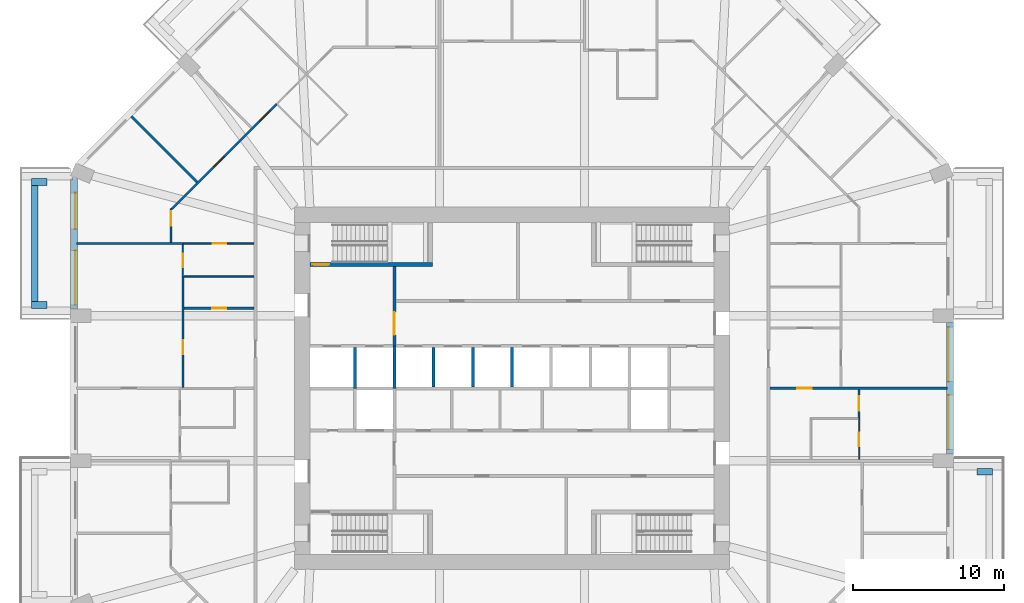
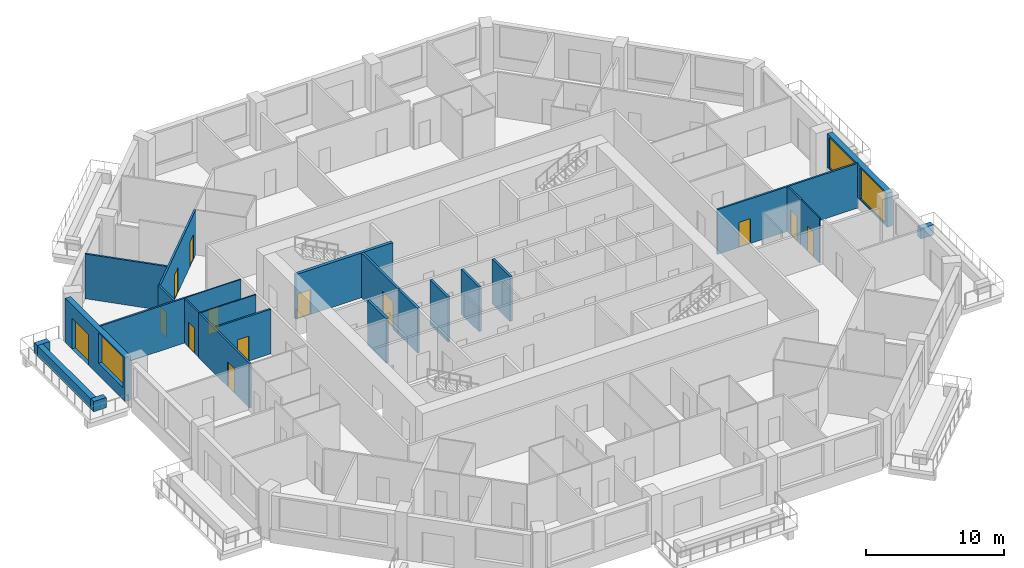
# One storey, part 7 of 13: 25 walls, 13 doors, 3 windows, 16 openings.
"""IFC4 building model written with IfcOpenShell, lengths in metres."""

from ifc_helpers import new_model, si_unit, direction, frame, frame_2d, origin, place, context, subcontext, project, spatial, rectangle, extrude, material, layer, layer_set, type_object, element, fill, save


model = new_model("IFC4")

# Units and contexts
model_context = context("Model", 3, precision=1e-05, world=origin(), true_north=direction((0.0, 1.0)))
body_context = subcontext(model_context, "Body", "Model", "MODEL_VIEW")
ifc_project = project(units=[si_unit("LENGTHUNIT", "METRE"), si_unit("AREAUNIT", "SQUARE_METRE"), si_unit("VOLUMEUNIT", "CUBIC_METRE"), si_unit("PLANEANGLEUNIT", "RADIAN"), si_unit("MASSUNIT", "GRAM", prefix="KILO")], contexts=[model_context])

# Site, building, storey
site_placement = place(None, origin())
site = spatial("IfcSite", under=ifc_project, at=site_placement, CompositionType="ELEMENT")
building_placement = place(site_placement, origin())
building = spatial("IfcBuilding", under=site, at=building_placement, Name="Msitu Wima Residences", CompositionType="ELEMENT")
storey_placement = place(building_placement, frame((0.0, 0.0, 63.300048828125)))
storey = spatial("IfcBuildingStorey", under=building, at=storey_placement, Name="L14", CompositionType="ELEMENT", Elevation=63.300048828125)

# Walls
ifc_material_1 = material(Name="Facing brick")
ifc_layer_1 = layer(ifc_material_1, 0.06494140625, Name="Facing brick")
ifc_material_2 = material(Name="Concrete C40/50", Category="concrete")
ifc_layer_2 = layer(ifc_material_2, 0.156005859375, Name="Concrete C40/50")
ifc_material_3 = material(Name="Waterproofing membrane")
ifc_layer_3 = layer(ifc_material_3, 0.00390625, Name="Waterproofing membrane")
ifc_material_4 = material(Name="Planting soil and planting")
ifc_layer_4 = layer(ifc_material_4, 0.22509765625, Name="Planting soil and planting")
ifc_layer_set_1 = layer_set([ifc_layer_1, ifc_layer_2, ifc_layer_3, ifc_layer_4], Name="Concrete C40/50")
wall_type_1 = type_object("IfcWallType", Name="Balcony planter PLANTER PL450", PredefinedType="USERDEFINED", material=ifc_layer_set_1)
wall_1_placement = place(storey_placement, frame((30.800048828125, -5.52490234375, 0.0), z_axis=(0.0, 0.0, 1.0), x_axis=(1.0, 0.0, 0.0)))
element("IfcWall", 1, at=wall_1_placement, inside=storey, type_object=wall_type_1, Name="Balcony planter E0 L14", ObjectType="PLANTER", PredefinedType="USERDEFINED", context=body_context, shape_type="SweptSolid", body=[
    extrude(rectangle(XDim=1.050048828125, YDim=0.449951171875, at=frame_2d((0.52490234375, 0.0))), origin(), (0.0, 0.0, 1.0), 0.89990234375),
])
wall_2_placement = place(storey_placement, frame((-31.625, 13.449951171875, 0.0), z_axis=(0.0, 0.0, 1.0), x_axis=(0.0, -1.0, 0.0)))
element("IfcWall", 2, at=wall_2_placement, inside=storey, type_object=wall_type_1, Name="Balcony planter W0 L14", ObjectType="PLANTER", PredefinedType="USERDEFINED", context=body_context, shape_type="SweptSolid", body=[
    extrude(rectangle(XDim=7.699951171875, YDim=0.449951171875, at=frame_2d((3.85009765625, 0.0))), origin(), (0.0, 0.0, 1.0), 0.89990234375),
])
for number, where, z_axis, x_axis, name in (
    (3, (-30.800048828125, 13.675048828125, 0.0), (0.0, 0.0, 1.0), (-1.0, 0.0, 0.0), "Balcony planter W0 L14"),
    (4, (-30.800048828125, 5.52490234375, 0.0), (0.0, 0.0, 1.0), (-1.0, 0.0, 0.0), "Balcony planter W0 L14"),
):
    element("IfcWall", number, at=place(storey_placement, frame(where, z_axis=z_axis, x_axis=x_axis)), inside=storey, type_object=wall_type_1, Name=name, ObjectType="PLANTER", PredefinedType="USERDEFINED", context=body_context, shape_type="SweptSolid", body=[
        extrude(rectangle(XDim=1.050048828125, YDim=0.449951171875, at=frame_2d((0.52490234375, 0.0))), origin(), (0.0, 0.0, 1.0), 0.89990234375),
    ])

# Wall, openings, windows
ifc_material_5 = material(Name="Brick (red buff mix)", Category="masonry")
ifc_layer_5 = layer(ifc_material_5, 0.449951171875)
ifc_layer_set_2 = layer_set([ifc_layer_5], Name="Brick (red buff mix)")
wall_type_2 = type_object("IfcWallType", Name="Brick infill wall BW450", PredefinedType="SOLIDWALL", material=ifc_layer_set_2)
wall_3_placement = place(storey_placement, frame((29.02490234375, -4.35009765625, 0.89990234375), z_axis=(0.0, 0.0, 1.0), x_axis=(0.0, 1.0, 0.0)))
wall_3 = element("IfcWall", 5, at=wall_3_placement, inside=storey, type_object=wall_type_2, Name="Brick infill wall L14 E1", PredefinedType="SOLIDWALL", context=body_context, shape_type="SweptSolid", body=[
    extrude(rectangle(XDim=8.7001953125, YDim=0.449951171875, at=frame_2d((4.35009765625, 0.0))), origin(), (0.0, 0.0, 1.0), 3.0),
])
opening_1_placement = place(wall_3_placement, frame((0.300048828125, 0.0, 0.14990234375)))
opening_1 = element("IfcOpeningElement", 6, at=opening_1_placement, cuts=wall_3, Name="Opening W13-15.002", PredefinedType="OPENING", context=body_context, shape_type="SweptSolid", body=[
    extrude(rectangle(XDim=3.60009765625, YDim=2.699951171875, at=frame_2d((1.800048828125, 1.35009765625))), frame((0.0, 0.23486328125, 0.0), z_axis=(0.0, -1.0, 0.0), x_axis=(1.0, 0.0, 0.0)), (0.0, 0.0, 1.0), 0.469970703125),
])
opening_2_placement = place(wall_3_placement, frame((4.800048828125, 0.0, 0.14990234375)))
opening_2 = element("IfcOpeningElement", 7, at=opening_2_placement, cuts=wall_3, Name="Opening W13-15.003", PredefinedType="OPENING", context=body_context, shape_type="SweptSolid", body=[
    extrude(rectangle(XDim=3.60009765625, YDim=2.699951171875, at=frame_2d((1.800048828125, 1.35009765625))), frame((0.0, 0.23486328125, 0.0), z_axis=(0.0, -1.0, 0.0), x_axis=(1.0, 0.0, 0.0)), (0.0, 0.0, 1.0), 0.469970703125),
])
ifc_material_6 = material(Name="Anodised aluminium, bronze finish, clear low-emissivity double glazing", Category="aluminium")
window_type = type_object("IfcWindowType", Name="Window W3600x2700", PartitioningType="DOUBLE_PANEL_VERTICAL", PredefinedType="WINDOW", material=ifc_material_6)
window_1_placement = place(opening_1_placement, origin())
window_1 = element("IfcWindow", 8, at=window_1_placement, inside=storey, type_object=window_type, Name="Window L14 E1.1", OverallHeight=2.699951171875, OverallWidth=3.60009765625, PartitioningType="SINGLE_PANEL", PredefinedType="WINDOW", context=body_context, shape_type="SweptSolid", body=[
    extrude(rectangle(XDim=3.60009765625, YDim=2.699951171875, at=frame_2d((1.800048828125, 1.35009765625))), frame((0.0, 0.135009765625, 0.0), z_axis=(0.0, -1.0, 0.0), x_axis=(1.0, 0.0, 0.0)), (0.0, 0.0, 1.0), 0.06005859375),
])
fill(opening_1, window_1)
window_2_placement = place(opening_2_placement, origin())
window_2 = element("IfcWindow", 9, at=window_2_placement, inside=storey, type_object=window_type, Name="Window L14 E1.2", OverallHeight=2.699951171875, OverallWidth=3.60009765625, PartitioningType="SINGLE_PANEL", PredefinedType="WINDOW", context=body_context, shape_type="SweptSolid", body=[
    extrude(rectangle(XDim=3.60009765625, YDim=2.699951171875, at=frame_2d((1.800048828125, 1.35009765625))), frame((0.0, 0.135009765625, 0.0), z_axis=(0.0, -1.0, 0.0), x_axis=(1.0, 0.0, 0.0)), (0.0, 0.0, 1.0), 0.06005859375),
])
fill(opening_2, window_2)

# Wall, openings, door, window
wall_4_placement = place(storey_placement, frame((-29.02490234375, 13.912841796875, 0.0), z_axis=(0.0, 0.0, 1.0), x_axis=(0.0, -1.0, 0.0)))
wall_4 = element("IfcWall", 10, at=wall_4_placement, inside=storey, type_object=wall_type_2, Name="Brick infill wall L14 W0", PredefinedType="SOLIDWALL", context=body_context, shape_type="SweptSolid", body=[
    extrude(rectangle(XDim=8.662841796875, YDim=0.449951171875, at=frame_2d((4.33154296875, 0.0))), origin(), (0.0, 0.0, 1.0), 3.89990234375),
])
opening_3_placement = place(wall_4_placement, frame((0.9658203125, 0.0, 0.0)))
opening_3 = element("IfcOpeningElement", 11, at=opening_3_placement, cuts=wall_4, Name="Opening D13-15.009", PredefinedType="OPENING", context=body_context, shape_type="SweptSolid", body=[
    extrude(rectangle(XDim=2.39990234375, YDim=2.699951171875, at=frame_2d((1.199951171875, 1.35009765625))), frame((0.0, 0.23486328125, 0.0), z_axis=(0.0, -1.0, 0.0), x_axis=(1.0, 0.0, 0.0)), (0.0, 0.0, 1.0), 0.469970703125),
])
opening_4_placement = place(wall_4_placement, frame((4.781494140625, 0.0, 1.050048828125)))
opening_4 = element("IfcOpeningElement", 12, at=opening_4_placement, cuts=wall_4, Name="Opening W13-15.027", PredefinedType="OPENING", context=body_context, shape_type="SweptSolid", body=[
    extrude(rectangle(XDim=3.60009765625, YDim=2.699951171875, at=frame_2d((1.800048828125, 1.35009765625))), frame((0.0, 0.23486328125, 0.0), z_axis=(0.0, -1.0, 0.0), x_axis=(1.0, 0.0, 0.0)), (0.0, 0.0, 1.0), 0.469970703125),
])
door_type_1 = type_object("IfcDoorType", Name="Balcony door D2400x2700", OperationType="SLIDING_TO_LEFT", PredefinedType="DOOR", material=ifc_material_6)
door_1_placement = place(opening_3_placement, origin())
door_1 = element("IfcDoor", 13, at=door_1_placement, inside=storey, type_object=door_type_1, Name="Balcony door L14 W0", OperationType="SINGLE_SWING_LEFT", OverallHeight=2.699951171875, OverallWidth=2.39990234375, PredefinedType="DOOR", context=body_context, shape_type="SweptSolid", body=[
    extrude(rectangle(XDim=2.39990234375, YDim=2.699951171875, at=frame_2d((1.199951171875, 1.35009765625))), frame((0.0, 0.1298828125, 0.0), z_axis=(0.0, -1.0, 0.0), x_axis=(1.0, 0.0, 0.0)), (0.0, 0.0, 1.0), 0.050048828125),
])
fill(opening_3, door_1)
window_3_placement = place(opening_4_placement, origin())
window_3 = element("IfcWindow", 14, at=window_3_placement, inside=storey, type_object=window_type, Name="Window L14 W0.2", OverallHeight=2.699951171875, OverallWidth=3.60009765625, PartitioningType="SINGLE_PANEL", PredefinedType="WINDOW", context=body_context, shape_type="SweptSolid", body=[
    extrude(rectangle(XDim=3.60009765625, YDim=2.699951171875, at=frame_2d((1.800048828125, 1.35009765625))), frame((0.0, 0.135009765625, 0.0), z_axis=(0.0, -1.0, 0.0), x_axis=(1.0, 0.0, 0.0)), (0.0, 0.0, 1.0), 0.06005859375),
])
fill(opening_4, window_3)

# Wall, opening, door
ifc_material_7 = material(Name="Plaster")
ifc_layer_6 = layer(ifc_material_7, 0.011962890625, Name="Plaster")
ifc_material_8 = material(Name="Concrete blockwork", Category="masonry")
ifc_layer_7 = layer(ifc_material_8, 0.176025390625, Name="Concrete blockwork")
ifc_layer_8 = layer(ifc_material_7, 0.011962890625, Name="Plaster")
ifc_layer_set_3 = layer_set([ifc_layer_6, ifc_layer_7, ifc_layer_8], Name="Concrete blockwork")
wall_type_3 = type_object("IfcWallType", Name="Corridor wall FW200", PredefinedType="PARTITIONING", material=ifc_layer_set_3)
wall_5_placement = place(storey_placement, frame((-7.800048828125, 2.800048828125, 0.0), z_axis=(0.0, 0.0, 1.0), x_axis=(0.0, 1.0, 0.0)))
wall_5 = element("IfcWall", 15, at=wall_5_placement, inside=storey, type_object=wall_type_3, Name="Corridor wall", PredefinedType="PARTITIONING", context=body_context, shape_type="SweptSolid", body=[
    extrude(rectangle(XDim=5.27490234375, YDim=0.199951171875, at=frame_2d((2.637451171875, 0.0))), origin(), (0.0, 0.0, 1.0), 3.949951171875),
])
opening_5_placement = place(wall_5_placement, frame((0.75, 0.0, 0.0)))
opening_5 = element("IfcOpeningElement", 16, at=opening_5_placement, cuts=wall_5, Name="Opening D13-15.016", PredefinedType="OPENING", context=body_context, shape_type="SweptSolid", body=[
    extrude(rectangle(XDim=1.5, YDim=2.39990234375, at=frame_2d((0.75, 1.199951171875))), frame((0.0, 0.10986328125, 0.0), z_axis=(0.0, -1.0, 0.0), x_axis=(1.0, 0.0, 0.0)), (0.0, 0.0, 1.0), 0.219970703125),
])
ifc_material_9 = material(Name="Steel framed glazed door, fire resisting", Category="steel")
door_type_2 = type_object("IfcDoorType", Name="Lobby door D07 1500x2400", OperationType="DOUBLE_DOOR_SINGLE_SWING", PredefinedType="DOOR", material=ifc_material_9)
door_2_placement = place(opening_5_placement, origin())
door_2 = element("IfcDoor", 17, at=door_2_placement, inside=storey, type_object=door_type_2, Name="Lobby door", OperationType="DOUBLE_DOOR_SINGLE_SWING", OverallHeight=2.39990234375, OverallWidth=1.5, PredefinedType="DOOR", context=body_context, shape_type="SweptSolid", body=[
    extrude(rectangle(XDim=1.5, YDim=2.39990234375, at=frame_2d((0.75, 1.199951171875))), frame((0.0, 0.02490234375, 0.0), z_axis=(0.0, -1.0, 0.0), x_axis=(1.0, 0.0, 0.0)), (0.0, 0.0, 1.0), 0.050048828125),
])
fill(opening_5, door_2)

# Walls
ifc_layer_9 = layer(ifc_material_7, 0.011962890625, Name="Plaster")
ifc_layer_10 = layer(ifc_material_8, 0.1259765625, Name="Concrete blockwork")
ifc_layer_11 = layer(ifc_material_7, 0.011962890625, Name="Plaster")
ifc_layer_set_4 = layer_set([ifc_layer_9, ifc_layer_10, ifc_layer_11], Name="Concrete blockwork")
wall_type_4 = type_object("IfcWallType", Name="Partition PW150", PredefinedType="PARTITIONING", material=ifc_layer_set_4)
wall_6_placement = place(storey_placement, frame((-28.85498046875, 9.60009765625, 0.0), z_axis=(0.0, 0.0, 1.0), x_axis=(1.0, 0.0, 0.0)))
element("IfcWall", 18, at=wall_6_placement, inside=storey, type_object=wall_type_4, Name="Partition", PredefinedType="PARTITIONING", context=body_context, shape_type="SweptSolid", body=[
    extrude(rectangle(XDim=7.074951171875, YDim=0.14990234375, at=frame_2d((3.53759765625, 0.0))), origin(), (0.0, 0.0, 1.0), 3.949951171875),
])
wall_7_placement = place(storey_placement, frame((-25.2177734375, 18.017578125, 0.0), z_axis=(0.0, 0.0, 1.0), x_axis=(0.707126629519, -0.707086932297, 0.0)))
element("IfcWall", 19, at=wall_7_placement, inside=storey, type_object=wall_type_4, Name="Partition", PredefinedType="PARTITIONING", context=body_context, shape_type="SweptSolid", body=[
    extrude(rectangle(XDim=6.150146484375, YDim=0.14990234375, at=frame_2d((3.0751953125, 0.0))), origin(), (0.0, 0.0, 1.0), 3.949951171875),
])

# Wall, opening, door
wall_8_placement = place(storey_placement, frame((-22.60009765625, 9.675048828125, 0.0), z_axis=(0.0, 0.0, 1.0), x_axis=(0.0, 1.0, 0.0)))
wall_8 = element("IfcWall", 20, at=wall_8_placement, inside=storey, type_object=wall_type_4, Name="Partition", PredefinedType="PARTITIONING", context=body_context, shape_type="SweptSolid", body=[
    extrude(rectangle(XDim=2.23193359375, YDim=0.14990234375, at=frame_2d((1.115966796875, 0.0))), origin(), (0.0, 0.0, 1.0), 3.949951171875),
])
opening_6_placement = place(wall_8_placement, frame((1.10009765625, 0.0, 0.0)))
opening_6 = element("IfcOpeningElement", 21, at=opening_6_placement, cuts=wall_8, Name="Opening D13-15.064", PredefinedType="OPENING", context=body_context, shape_type="SweptSolid", body=[
    extrude(rectangle(XDim=0.949951171875, YDim=2.199951171875, at=frame_2d((0.47509765625, 1.10009765625))), frame((0.0, 0.0849609375, 0.0), z_axis=(0.0, -1.0, 0.0), x_axis=(1.0, 0.0, 0.0)), (0.0, 0.0, 1.0), 0.169921875),
])
ifc_material_10 = material(Name="Timber flush door", Category="wood")
door_type_3 = type_object("IfcDoorType", Name="Room door D12 950x2200", OperationType="SINGLE_SWING_LEFT", PredefinedType="DOOR", material=ifc_material_10)
door_3_placement = place(opening_6_placement, origin())
door_3 = element("IfcDoor", 22, at=door_3_placement, inside=storey, type_object=door_type_3, Name="Room door", OperationType="SINGLE_SWING_LEFT", OverallHeight=2.199951171875, OverallWidth=0.949951171875, PredefinedType="DOOR", context=body_context, shape_type="SweptSolid", body=[
    extrude(rectangle(XDim=0.949951171875, YDim=2.199951171875, at=frame_2d((0.47509765625, 1.10009765625))), frame((0.0, 0.02490234375, 0.0), z_axis=(0.0, -1.0, 0.0), x_axis=(1.0, 0.0, 0.0)), (0.0, 0.0, 1.0), 0.050048828125),
])
fill(opening_6, door_3)

# Wall, openings, doors
wall_9_placement = place(storey_placement, frame((-22.546875, 11.885009765625, 0.0), z_axis=(0.0, 0.0, 1.0), x_axis=(0.707106781187, 0.707106781187, 0.0)))
wall_9 = element("IfcWall", 23, at=wall_9_placement, inside=storey, type_object=wall_type_4, Name="Partition", PredefinedType="PARTITIONING", context=body_context, shape_type="SweptSolid", body=[
    extrude(rectangle(XDim=9.830078125, YDim=0.14990234375, at=frame_2d((4.9150390625, 0.0))), origin(), (0.0, 0.0, 1.0), 3.949951171875),
])
opening_7_placement = place(wall_9_placement, frame((3.949951171875, 0.0, 0.0)))
opening_7 = element("IfcOpeningElement", 24, at=opening_7_placement, cuts=wall_9, Name="Opening D13-15.059", PredefinedType="OPENING", context=body_context, shape_type="SweptSolid", body=[
    extrude(rectangle(XDim=0.949951171875, YDim=2.199951171875, at=frame_2d((0.47509765625, 1.10009765625))), frame((0.0, 0.0849609375, 0.0), z_axis=(0.0, -1.0, 0.0), x_axis=(1.0, 0.0, 0.0)), (0.0, 0.0, 1.0), 0.169921875),
])
opening_8_placement = place(wall_9_placement, frame((8.25, 0.0, 0.0)))
opening_8 = element("IfcOpeningElement", 25, at=opening_8_placement, cuts=wall_9, Name="Opening D13-15.061", PredefinedType="OPENING", context=body_context, shape_type="SweptSolid", body=[
    extrude(rectangle(XDim=0.949951171875, YDim=2.199951171875, at=frame_2d((0.47509765625, 1.10009765625))), frame((0.0, 0.0849609375, 0.0), z_axis=(0.0, -1.0, 0.0), x_axis=(1.0, 0.0, 0.0)), (0.0, 0.0, 1.0), 0.169921875),
])
door_4_placement = place(opening_7_placement, origin())
door_4 = element("IfcDoor", 26, at=door_4_placement, inside=storey, type_object=door_type_3, Name="Room door", OperationType="SINGLE_SWING_LEFT", OverallHeight=2.199951171875, OverallWidth=0.949951171875, PredefinedType="DOOR", context=body_context, shape_type="SweptSolid", body=[
    extrude(rectangle(XDim=0.949951171875, YDim=2.199951171875, at=frame_2d((0.47509765625, 1.10009765625))), frame((0.0, 0.02490234375, 0.0), z_axis=(0.0, -1.0, 0.0), x_axis=(1.0, 0.0, 0.0)), (0.0, 0.0, 1.0), 0.050048828125),
])
fill(opening_7, door_4)
door_5_placement = place(opening_8_placement, origin())
door_5 = element("IfcDoor", 27, at=door_5_placement, inside=storey, type_object=door_type_3, Name="Room door", OperationType="SINGLE_SWING_LEFT", OverallHeight=2.199951171875, OverallWidth=0.949951171875, PredefinedType="DOOR", context=body_context, shape_type="SweptSolid", body=[
    extrude(rectangle(XDim=0.949951171875, YDim=2.199951171875, at=frame_2d((0.47509765625, 1.10009765625))), frame((0.0, 0.02490234375, 0.0), z_axis=(0.0, -1.0, 0.0), x_axis=(1.0, 0.0, 0.0)), (0.0, 0.0, 1.0), 0.050048828125),
])
fill(opening_8, door_5)

# Wall, opening, door
wall_10_placement = place(storey_placement, frame((-21.800048828125, 0.050048828125, 0.0), z_axis=(0.0, 0.0, 1.0), x_axis=(0.0, 1.0, 0.0)))
wall_10 = element("IfcWall", 28, at=wall_10_placement, inside=storey, type_object=wall_type_4, Name="Partition", PredefinedType="PARTITIONING", context=body_context, shape_type="SweptSolid", body=[
    extrude(rectangle(XDim=7.369873046875, YDim=0.14990234375, at=frame_2d((3.68505859375, 0.0))), origin(), (0.0, 0.0, 1.0), 3.949951171875),
])
opening_9_placement = place(wall_10_placement, frame((2.199951171875, 0.0, 0.0)))
opening_9 = element("IfcOpeningElement", 29, at=opening_9_placement, cuts=wall_10, Name="Opening D13-15.046", PredefinedType="OPENING", context=body_context, shape_type="SweptSolid", body=[
    extrude(rectangle(XDim=0.949951171875, YDim=2.199951171875, at=frame_2d((0.47509765625, 1.10009765625))), frame((0.0, 0.0849609375, 0.0), z_axis=(0.0, -1.0, 0.0), x_axis=(1.0, 0.0, 0.0)), (0.0, 0.0, 1.0), 0.169921875),
])
door_6_placement = place(opening_9_placement, origin())
door_6 = element("IfcDoor", 30, at=door_6_placement, inside=storey, type_object=door_type_3, Name="Room door", OperationType="SINGLE_SWING_LEFT", OverallHeight=2.199951171875, OverallWidth=0.949951171875, PredefinedType="DOOR", context=body_context, shape_type="SweptSolid", body=[
    extrude(rectangle(XDim=0.949951171875, YDim=2.199951171875, at=frame_2d((0.47509765625, 1.10009765625))), frame((0.0, 0.02490234375, 0.0), z_axis=(0.0, -1.0, 0.0), x_axis=(1.0, 0.0, 0.0)), (0.0, 0.0, 1.0), 0.050048828125),
])
fill(opening_9, door_6)

wall_11_placement = place(storey_placement, frame((-21.72509765625, 5.300048828125, 0.0), z_axis=(0.0, 0.0, 1.0), x_axis=(1.0, 0.0, 0.0)))
wall_11 = element("IfcWall", 31, at=wall_11_placement, inside=storey, type_object=wall_type_4, Name="Partition", PredefinedType="PARTITIONING", context=body_context, shape_type="SweptSolid", body=[
    extrude(rectangle(XDim=4.625, YDim=0.14990234375, at=frame_2d((2.3125, 0.0))), origin(), (0.0, 0.0, 1.0), 3.949951171875),
])
opening_10_placement = place(wall_11_placement, frame((1.85009765625, 0.0, 0.0)))
opening_10 = element("IfcOpeningElement", 32, at=opening_10_placement, cuts=wall_11, Name="Opening D13-15.047", PredefinedType="OPENING", context=body_context, shape_type="SweptSolid", body=[
    extrude(rectangle(XDim=0.949951171875, YDim=2.199951171875, at=frame_2d((0.47509765625, 1.10009765625))), frame((0.0, 0.0849609375, 0.0), z_axis=(0.0, -1.0, 0.0), x_axis=(1.0, 0.0, 0.0)), (0.0, 0.0, 1.0), 0.169921875),
])
door_7_placement = place(opening_10_placement, origin())
door_7 = element("IfcDoor", 33, at=door_7_placement, inside=storey, type_object=door_type_3, Name="Room door", OperationType="SINGLE_SWING_RIGHT", OverallHeight=2.199951171875, OverallWidth=0.949951171875, PredefinedType="DOOR", context=body_context, shape_type="SweptSolid", body=[
    extrude(rectangle(XDim=0.949951171875, YDim=2.199951171875, at=frame_2d((0.47509765625, 1.10009765625))), frame((0.0, 0.02490234375, 0.0), z_axis=(0.0, -1.0, 0.0), x_axis=(1.0, 0.0, 0.0)), (0.0, 0.0, 1.0), 0.050048828125),
])
fill(opening_10, door_7)

wall_12_placement = place(storey_placement, frame((17.10009765625, 0.0, 0.0), z_axis=(0.0, 0.0, 1.0), x_axis=(1.0, 0.0, 0.0)))
wall_12 = element("IfcWall", 34, at=wall_12_placement, inside=storey, type_object=wall_type_4, Name="Partition", PredefinedType="PARTITIONING", context=body_context, shape_type="SweptSolid", body=[
    extrude(rectangle(XDim=11.7548828125, YDim=0.14990234375, at=frame_2d((5.87744140625, 0.0))), origin(), (0.0, 0.0, 1.0), 3.949951171875),
])
opening_11_placement = place(wall_12_placement, frame((1.800048828125, 0.0, 0.0)))
opening_11 = element("IfcOpeningElement", 35, at=opening_11_placement, cuts=wall_12, Name="Opening D13-15.038", PredefinedType="OPENING", context=body_context, shape_type="SweptSolid", body=[
    extrude(rectangle(XDim=0.949951171875, YDim=2.199951171875, at=frame_2d((0.47509765625, 1.10009765625))), frame((0.0, 0.0849609375, 0.0), z_axis=(0.0, -1.0, 0.0), x_axis=(1.0, 0.0, 0.0)), (0.0, 0.0, 1.0), 0.169921875),
])
door_8_placement = place(opening_11_placement, origin())
door_8 = element("IfcDoor", 36, at=door_8_placement, inside=storey, type_object=door_type_3, Name="Room door", OperationType="SINGLE_SWING_RIGHT", OverallHeight=2.199951171875, OverallWidth=0.949951171875, PredefinedType="DOOR", context=body_context, shape_type="SweptSolid", body=[
    extrude(rectangle(XDim=0.949951171875, YDim=2.199951171875, at=frame_2d((0.47509765625, 1.10009765625))), frame((0.0, 0.02490234375, 0.0), z_axis=(0.0, -1.0, 0.0), x_axis=(1.0, 0.0, 0.0)), (0.0, 0.0, 1.0), 0.050048828125),
])
fill(opening_11, door_8)

wall_13_placement = place(storey_placement, frame((23.0, -1.97998046875, 0.0), z_axis=(0.0, 0.0, 1.0), x_axis=(0.0, 1.0, 0.0)))
wall_13 = element("IfcWall", 37, at=wall_13_placement, inside=storey, type_object=wall_type_4, Name="Partition", PredefinedType="PARTITIONING", context=body_context, shape_type="SweptSolid", body=[
    extrude(rectangle(XDim=1.905029296875, YDim=0.14990234375, at=frame_2d((0.95263671875, 0.0))), origin(), (0.0, 0.0, 1.0), 3.949951171875),
])
opening_12_placement = place(wall_13_placement, frame((0.5, 0.0, 0.0)))
opening_12 = element("IfcOpeningElement", 38, at=opening_12_placement, cuts=wall_13, Name="Opening D13-15.071", PredefinedType="OPENING", context=body_context, shape_type="SweptSolid", body=[
    extrude(rectangle(XDim=0.949951171875, YDim=2.199951171875, at=frame_2d((0.47509765625, 1.10009765625))), frame((0.0, 0.0849609375, 0.0), z_axis=(0.0, -1.0, 0.0), x_axis=(1.0, 0.0, 0.0)), (0.0, 0.0, 1.0), 0.169921875),
])
door_9_placement = place(opening_12_placement, origin())
door_9 = element("IfcDoor", 39, at=door_9_placement, inside=storey, type_object=door_type_3, Name="Room door", OperationType="SINGLE_SWING_LEFT", OverallHeight=2.199951171875, OverallWidth=0.949951171875, PredefinedType="DOOR", context=body_context, shape_type="SweptSolid", body=[
    extrude(rectangle(XDim=0.949951171875, YDim=2.199951171875, at=frame_2d((0.47509765625, 1.10009765625))), frame((0.0, 0.02490234375, 0.0), z_axis=(0.0, -1.0, 0.0), x_axis=(1.0, 0.0, 0.0)), (0.0, 0.0, 1.0), 0.050048828125),
])
fill(opening_12, door_9)

# Walls
ifc_material_11 = material(Name="Fire-rated board")
ifc_layer_12 = layer(ifc_material_11, 0.02490234375, Name="Fire-rated board")
ifc_material_12 = material(Name="Light-gauge stud framing with mineral wool")
ifc_layer_13 = layer(ifc_material_12, 0.14990234375, Name="Light-gauge stud framing with mineral wool")
ifc_layer_14 = layer(ifc_material_11, 0.02490234375, Name="Fire-rated board")
ifc_layer_set_5 = layer_set([ifc_layer_12, ifc_layer_13, ifc_layer_14], Name="Light-gauge stud framing with mineral wool")
wall_type_5 = type_object("IfcWallType", Name="Shaft wall SH200", PredefinedType="PARTITIONING", material=ifc_layer_set_5)
wall_14_placement = place(storey_placement, frame((-10.39990234375, 0.0, 0.0), z_axis=(0.0, 0.0, 1.0), x_axis=(0.0, 1.0, 0.0)))
element("IfcWall", 40, at=wall_14_placement, inside=storey, type_object=wall_type_5, Name="Shaft wall", PredefinedType="PARTITIONING", context=body_context, shape_type="SweptSolid", body=[
    extrude(rectangle(XDim=2.699951171875, YDim=0.199951171875, at=frame_2d((1.35009765625, 0.0))), origin(), (0.0, 0.0, 1.0), 3.949951171875),
])
wall_15_placement = place(storey_placement, frame((-7.800048828125, 0.0, 0.0), z_axis=(0.0, 0.0, 1.0), x_axis=(0.0, 1.0, 0.0)))
element("IfcWall", 41, at=wall_15_placement, inside=storey, type_object=wall_type_5, Name="Shaft wall", PredefinedType="PARTITIONING", context=body_context, shape_type="SweptSolid", body=[
    extrude(rectangle(XDim=2.800048828125, YDim=0.199951171875, at=frame_2d((1.39990234375, 0.0))), origin(), (0.0, 0.0, 1.0), 3.949951171875),
])
for number, where, z_axis, x_axis, name in (
    (42, (-5.199951171875, 0.10009765625, 0.0), (0.0, 0.0, 1.0), (0.0, 1.0, 0.0), "Shaft wall"),
    (43, (-2.60009765625, 0.10009765625, 0.0), (0.0, 0.0, 1.0), (0.0, 1.0, 0.0), "Shaft wall"),
    (44, (0.0, 0.10009765625, 0.0), (0.0, 0.0, 1.0), (0.0, 1.0, 0.0), "Shaft wall"),
):
    element("IfcWall", number, at=place(storey_placement, frame(where, z_axis=z_axis, x_axis=x_axis)), inside=storey, type_object=wall_type_5, Name=name, PredefinedType="PARTITIONING", context=body_context, shape_type="SweptSolid", body=[
        extrude(rectangle(XDim=2.599853515625, YDim=0.199951171875, at=frame_2d((1.2998046875, 0.0))), origin(), (0.0, 0.0, 1.0), 3.949951171875),
    ])

# Wall, opening, door
ifc_material_13 = material(Name="Concrete C50/60", Category="concrete")
ifc_layer_15 = layer(ifc_material_13, 0.25)
ifc_layer_set_6 = layer_set([ifc_layer_15], Name="Concrete C50/60")
wall_type_6 = type_object("IfcWallType", Name="Stair enclosure wall SW250", PredefinedType="SHEAR", material=ifc_layer_set_6)
wall_16_placement = place(storey_placement, frame((-13.3701171875, 8.199951171875, 0.0), z_axis=(0.0, 0.0, 1.0), x_axis=(1.0, 0.0, 0.0)))
wall_16 = element("IfcWall", 45, at=wall_16_placement, inside=storey, type_object=wall_type_6, Name="Stair enclosure wall", PredefinedType="SHEAR", context=body_context, shape_type="SweptSolid", body=[
    extrude(rectangle(XDim=8.09521484375, YDim=0.25, at=frame_2d((4.047607421875, 0.0))), origin(), (0.0, 0.0, 1.0), 3.949951171875),
])
opening_13_placement = place(wall_16_placement, frame((0.14990234375, 0.0, 0.0)))
opening_13 = element("IfcOpeningElement", 46, at=opening_13_placement, cuts=wall_16, Name="Opening D13-15.033", PredefinedType="OPENING", context=body_context, shape_type="SweptSolid", body=[
    extrude(rectangle(XDim=1.10009765625, YDim=2.199951171875, at=frame_2d((0.550048828125, 1.10009765625))), frame((0.0, 0.135009765625, 0.0), z_axis=(0.0, -1.0, 0.0), x_axis=(1.0, 0.0, 0.0)), (0.0, 0.0, 1.0), 0.27001953125),
])
ifc_material_14 = material(Name="Steel door, fire resisting, panic bar", Category="steel")
door_type_4 = type_object("IfcDoorType", Name="Stair door D06 1100x2200", OperationType="SINGLE_SWING_LEFT", PredefinedType="DOOR", material=ifc_material_14)
door_10_placement = place(opening_13_placement, origin())
door_10 = element("IfcDoor", 47, at=door_10_placement, inside=storey, type_object=door_type_4, Name="Stair door", OperationType="SINGLE_SWING_LEFT", OverallHeight=2.199951171875, OverallWidth=1.10009765625, PredefinedType="DOOR", context=body_context, shape_type="SweptSolid", body=[
    extrude(rectangle(XDim=1.10009765625, YDim=2.199951171875, at=frame_2d((0.550048828125, 1.10009765625))), frame((0.0, 0.02490234375, 0.0), z_axis=(0.0, -1.0, 0.0), x_axis=(1.0, 0.0, 0.0)), (0.0, 0.0, 1.0), 0.050048828125),
])
fill(opening_13, door_10)

ifc_material_15 = material(Name="Ceramic tiles")
ifc_layer_16 = layer(ifc_material_15, 0.008056640625, Name="Ceramic tiles")
ifc_material_16 = material(Name="Moisture-resistant board")
ifc_layer_17 = layer(ifc_material_16, 0.012451171875, Name="Moisture-resistant board")
ifc_layer_18 = layer(ifc_material_12, 0.06689453125, Name="Light-gauge stud framing with mineral wool")
ifc_layer_19 = layer(ifc_material_16, 0.012451171875, Name="Moisture-resistant board")
ifc_layer_set_7 = layer_set([ifc_layer_16, ifc_layer_17, ifc_layer_18, ifc_layer_19], Name="Light-gauge stud framing with mineral wool")
wall_type_7 = type_object("IfcWallType", Name="Wet wall PW100", PredefinedType="PARTITIONING", material=ifc_layer_set_7)
wall_17_placement = place(storey_placement, frame((-21.780029296875, 9.60009765625, 0.0), z_axis=(0.0, 0.0, 1.0), x_axis=(1.0, 0.0, 0.0)))
wall_17 = element("IfcWall", 48, at=wall_17_placement, inside=storey, type_object=wall_type_7, Name="Wet wall", PredefinedType="PARTITIONING", context=body_context, shape_type="SweptSolid", body=[
    extrude(rectangle(XDim=4.679931640625, YDim=0.10009765625, at=frame_2d((2.33984375, 0.0))), origin(), (0.0, 0.0, 1.0), 3.949951171875),
])
opening_14_placement = place(wall_17_placement, frame((1.949951171875, 0.0, 0.0)))
opening_14 = element("IfcOpeningElement", 49, at=opening_14_placement, cuts=wall_17, Name="Opening D13-15.057", PredefinedType="OPENING", context=body_context, shape_type="SweptSolid", body=[
    extrude(rectangle(XDim=0.89990234375, YDim=2.199951171875, at=frame_2d((0.449951171875, 1.10009765625))), frame((0.0, 0.06005859375, 0.0), z_axis=(0.0, -1.0, 0.0), x_axis=(1.0, 0.0, 0.0)), (0.0, 0.0, 1.0), 0.1201171875),
])
ifc_material_17 = material(Name="Timber flush door, moisture resistant", Category="wood")
door_type_5 = type_object("IfcDoorType", Name="Bathroom door D03 900x2200", OperationType="SINGLE_SWING_LEFT", PredefinedType="DOOR", material=ifc_material_17)
door_11_placement = place(opening_14_placement, origin())
door_11 = element("IfcDoor", 50, at=door_11_placement, inside=storey, type_object=door_type_5, Name="Bathroom door", OperationType="SINGLE_SWING_LEFT", OverallHeight=2.199951171875, OverallWidth=0.89990234375, PredefinedType="DOOR", context=body_context, shape_type="SweptSolid", body=[
    extrude(rectangle(XDim=0.89990234375, YDim=2.199951171875, at=frame_2d((0.449951171875, 1.10009765625))), frame((0.0, 0.02490234375, 0.0), z_axis=(0.0, -1.0, 0.0), x_axis=(1.0, 0.0, 0.0)), (0.0, 0.0, 1.0), 0.050048828125),
])
fill(opening_14, door_11)

wall_18_placement = place(storey_placement, frame((-21.800048828125, 7.419921875, 0.0), z_axis=(0.0, 0.0, 1.0), x_axis=(0.0, 1.0, 0.0)))
wall_18 = element("IfcWall", 51, at=wall_18_placement, inside=storey, type_object=wall_type_7, Name="Wet wall", PredefinedType="PARTITIONING", context=body_context, shape_type="SweptSolid", body=[
    extrude(rectangle(XDim=2.10498046875, YDim=0.10009765625, at=frame_2d((1.052490234375, 0.0))), origin(), (0.0, 0.0, 1.0), 3.949951171875),
])
opening_15_placement = place(wall_18_placement, frame((0.60009765625, 0.0, 0.0)))
opening_15 = element("IfcOpeningElement", 52, at=opening_15_placement, cuts=wall_18, Name="Opening D13-15.056", PredefinedType="OPENING", context=body_context, shape_type="SweptSolid", body=[
    extrude(rectangle(XDim=0.89990234375, YDim=2.199951171875, at=frame_2d((0.449951171875, 1.10009765625))), frame((0.0, 0.06005859375, 0.0), z_axis=(0.0, -1.0, 0.0), x_axis=(1.0, 0.0, 0.0)), (0.0, 0.0, 1.0), 0.1201171875),
])
door_12_placement = place(opening_15_placement, origin())
door_12 = element("IfcDoor", 53, at=door_12_placement, inside=storey, type_object=door_type_5, Name="Bathroom door", OperationType="SINGLE_SWING_RIGHT", OverallHeight=2.199951171875, OverallWidth=0.89990234375, PredefinedType="DOOR", context=body_context, shape_type="SweptSolid", body=[
    extrude(rectangle(XDim=0.89990234375, YDim=2.199951171875, at=frame_2d((0.449951171875, 1.10009765625))), frame((0.0, 0.02490234375, 0.0), z_axis=(0.0, -1.0, 0.0), x_axis=(1.0, 0.0, 0.0)), (0.0, 0.0, 1.0), 0.050048828125),
])
fill(opening_15, door_12)

# Wall
wall_19_placement = place(storey_placement, frame((-21.72509765625, 7.39990234375, 0.0), z_axis=(0.0, 0.0, 1.0), x_axis=(1.0, 0.0, 0.0)))
element("IfcWall", 54, at=wall_19_placement, inside=storey, type_object=wall_type_7, Name="Wet wall", PredefinedType="PARTITIONING", context=body_context, shape_type="SweptSolid", body=[
    extrude(rectangle(XDim=4.625, YDim=0.10009765625, at=frame_2d((2.3125, 0.0))), origin(), (0.0, 0.0, 1.0), 3.949951171875),
])

# Wall, opening, door
wall_20_placement = place(storey_placement, frame((23.0, -4.699951171875, 0.0), z_axis=(0.0, 0.0, 1.0), x_axis=(0.0, 1.0, 0.0)))
wall_20 = element("IfcWall", 55, at=wall_20_placement, inside=storey, type_object=wall_type_7, Name="Wet wall", PredefinedType="PARTITIONING", context=body_context, shape_type="SweptSolid", body=[
    extrude(rectangle(XDim=2.719970703125, YDim=0.10009765625, at=frame_2d((1.35986328125, 0.0))), origin(), (0.0, 0.0, 1.0), 3.949951171875),
])
opening_16_placement = place(wall_20_placement, frame((0.85009765625, 0.0, 0.0)))
opening_16 = element("IfcOpeningElement", 56, at=opening_16_placement, cuts=wall_20, Name="Opening D13-15.082", PredefinedType="OPENING", context=body_context, shape_type="SweptSolid", body=[
    extrude(rectangle(XDim=0.89990234375, YDim=2.199951171875, at=frame_2d((0.449951171875, 1.10009765625))), frame((0.0, 0.06005859375, 0.0), z_axis=(0.0, -1.0, 0.0), x_axis=(1.0, 0.0, 0.0)), (0.0, 0.0, 1.0), 0.1201171875),
])
door_13_placement = place(opening_16_placement, origin())
door_13 = element("IfcDoor", 57, at=door_13_placement, inside=storey, type_object=door_type_5, Name="Bathroom door", OperationType="SINGLE_SWING_LEFT", OverallHeight=2.199951171875, OverallWidth=0.89990234375, PredefinedType="DOOR", context=body_context, shape_type="SweptSolid", body=[
    extrude(rectangle(XDim=0.89990234375, YDim=2.199951171875, at=frame_2d((0.449951171875, 1.10009765625))), frame((0.0, 0.02490234375, 0.0), z_axis=(0.0, -1.0, 0.0), x_axis=(1.0, 0.0, 0.0)), (0.0, 0.0, 1.0), 0.050048828125),
])
fill(opening_16, door_13)

save(model, "model.ifc")
